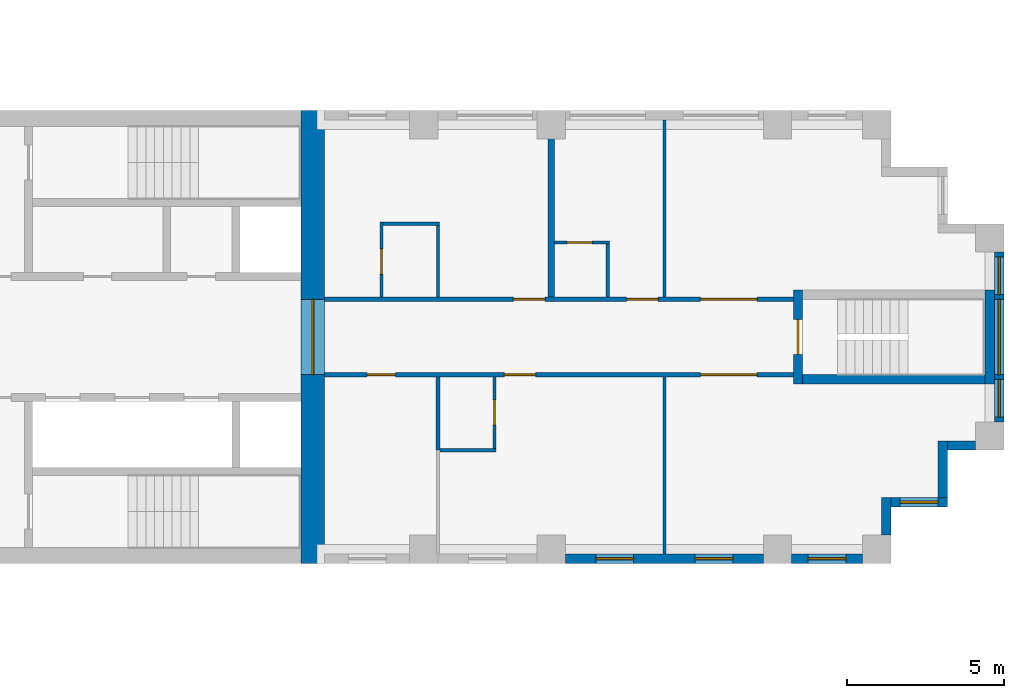
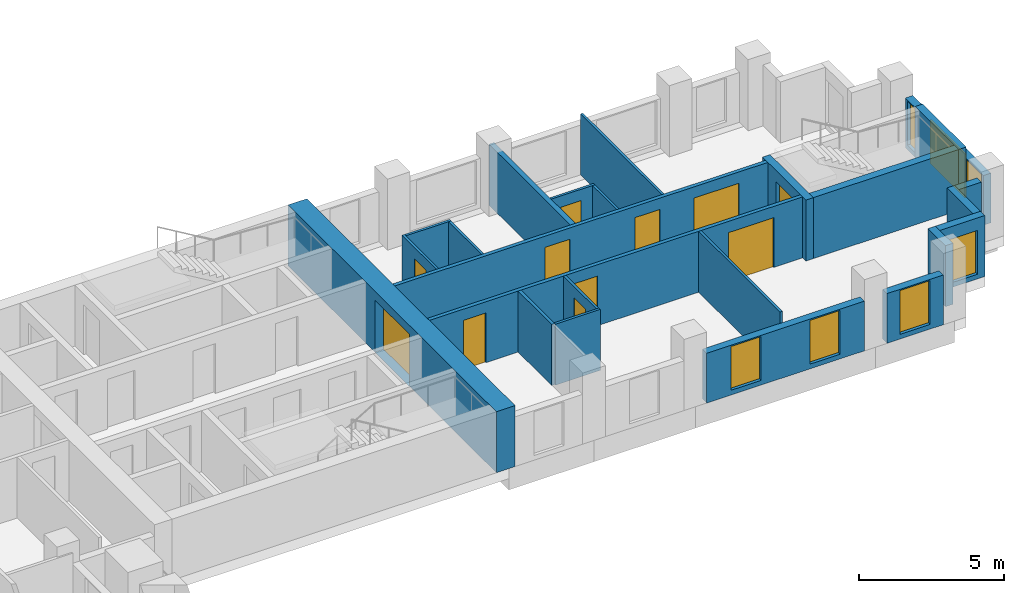
# One storey, part 10 of 15: 24 walls, 11 doors, 7 windows, 18 openings.
"""IFC4 building model written with IfcOpenShell, lengths in metres."""

from ifc_helpers import new_model, si_unit, direction, frame, frame_2d, origin, place, context, subcontext, project, spatial, rectangle, extrude, material, layer, layer_set, type_object, element, fill, save


model = new_model("IFC4")

# Units and contexts
model_context = context("Model", 3, precision=1e-05, world=origin(), true_north=direction((0.0, 1.0)))
body_context = subcontext(model_context, "Body", "Model", "MODEL_VIEW")
ifc_project = project(units=[si_unit("LENGTHUNIT", "METRE"), si_unit("AREAUNIT", "SQUARE_METRE"), si_unit("VOLUMEUNIT", "CUBIC_METRE"), si_unit("PLANEANGLEUNIT", "RADIAN"), si_unit("MASSUNIT", "GRAM", prefix="KILO")], contexts=[model_context])

# Site, building, storey
site_placement = place(None, origin())
site = spatial("IfcSite", under=ifc_project, at=site_placement, CompositionType="ELEMENT")
building_placement = place(site_placement, origin())
building = spatial("IfcBuilding", under=site, at=building_placement, Name="Fustian Cross Tower", CompositionType="ELEMENT")
storey_placement = place(building_placement, frame((0.0, 0.0, 29.699951171875)))
storey = spatial("IfcBuildingStorey", under=building, at=storey_placement, Name="L08", CompositionType="ELEMENT", Elevation=29.699951171875)

# Wall, openings, doors
ifc_material_1 = material(Name="Plasterboard on steel stud", Category="steel")
ifc_layer_1 = layer(ifc_material_1, 0.14990234375)
ifc_layer_set_1 = layer_set([ifc_layer_1], Name="Plasterboard on steel stud")
wall_type_1 = type_object("IfcWallType", Name="COMPARTMENT WALL 150 EI 60", PredefinedType="PARTITIONING", material=ifc_layer_set_1)
wall_1_placement = place(storey_placement, frame((21.60009765625, -1.199951171875, 0.0), z_axis=(0.0, 0.0, 1.0), x_axis=(1.0, 0.0, 0.0)))
wall_1 = element("IfcWall", 1, at=wall_1_placement, inside=storey, type_object=wall_type_1, Name="Partition 88", PredefinedType="PARTITIONING", context=body_context, shape_type="SweptSolid", body=[
    extrude(rectangle(XDim=14.89990234375, YDim=0.14990234375, at=frame_2d((7.449951171875, 0.0))), origin(), (0.0, 0.0, 1.0), 2.574951171875),
])
opening_1_placement = place(wall_1_placement, frame((1.35009765625, 0.0, 0.0)))
opening_1 = element("IfcOpeningElement", 2, at=opening_1_placement, cuts=wall_1, Name="Opening D06015", PredefinedType="OPENING", context=body_context, shape_type="SweptSolid", body=[
    extrude(rectangle(XDim=0.89990234375, YDim=2.10009765625, at=frame_2d((0.449951171875, 1.050048828125))), frame((0.0, 0.0849609375, 0.0), z_axis=(0.0, -1.0, 0.0), x_axis=(1.0, 0.0, 0.0)), (0.0, 0.0, 1.0), 0.169921875),
])
opening_2_placement = place(wall_1_placement, frame((5.7099609375, 0.0, 0.0)))
opening_2 = element("IfcOpeningElement", 3, at=opening_2_placement, cuts=wall_1, Name="Opening D06017", PredefinedType="OPENING", context=body_context, shape_type="SweptSolid", body=[
    extrude(rectangle(XDim=1.0, YDim=2.10009765625, at=frame_2d((0.5, 1.050048828125))), frame((0.0, 0.0849609375, 0.0), z_axis=(0.0, -1.0, 0.0), x_axis=(1.0, 0.0, 0.0)), (0.0, 0.0, 1.0), 0.169921875),
])
opening_3_placement = place(wall_1_placement, frame((11.949951171875, 0.0, 0.0)))
opening_3 = element("IfcOpeningElement", 4, at=opening_3_placement, cuts=wall_1, Name="Opening D06018", PredefinedType="OPENING", context=body_context, shape_type="SweptSolid", body=[
    extrude(rectangle(XDim=1.800048828125, YDim=2.10009765625, at=frame_2d((0.89990234375, 1.050048828125))), frame((0.0, 0.0849609375, 0.0), z_axis=(0.0, -1.0, 0.0), x_axis=(1.0, 0.0, 0.0)), (0.0, 0.0, 1.0), 0.169921875),
])
ifc_material_2 = material(Name="Timber fire door set", Category="wood")
door_type_1 = type_object("IfcDoorType", Name="FIRE DOUBLE DOOR 1800 FD30S", OperationType="DOUBLE_DOOR_DOUBLE_SWING", PredefinedType="DOOR", material=ifc_material_2)
door_1_placement = place(opening_3_placement, origin())
door_1 = element("IfcDoor", 5, at=door_1_placement, inside=storey, type_object=door_type_1, Name="Door D06018", OperationType="DOUBLE_DOOR_DOUBLE_SWING", OverallHeight=2.10009765625, OverallWidth=1.800048828125, PredefinedType="DOOR", context=body_context, shape_type="SweptSolid", body=[
    extrude(rectangle(XDim=1.800048828125, YDim=2.10009765625, at=frame_2d((0.89990234375, 1.050048828125))), frame((0.0, 0.02490234375, 0.0), z_axis=(0.0, -1.0, 0.0), x_axis=(1.0, 0.0, 0.0)), (0.0, 0.0, 1.0), 0.050048828125),
])
fill(opening_3, door_1)
ifc_material_3 = material(Name="Timber fire door set", Category="wood")
door_type_2 = type_object("IfcDoorType", Name="FIRE SWING DOOR 1000 FD30S", OperationType="SINGLE_SWING_LEFT", PredefinedType="DOOR", material=ifc_material_3)
door_2_placement = place(opening_2_placement, frame((1.0, 0.0, 0.0), z_axis=(0.0, 0.0, 1.0), x_axis=(-1.0, 0.0, 0.0)))
door_2 = element("IfcDoor", 6, at=door_2_placement, inside=storey, type_object=door_type_2, Name="Door D06017", OperationType="SINGLE_SWING_RIGHT", OverallHeight=2.10009765625, OverallWidth=1.0, PredefinedType="DOOR", context=body_context, shape_type="SweptSolid", body=[
    extrude(rectangle(XDim=1.0, YDim=2.10009765625, at=frame_2d((0.5, 1.050048828125))), frame((0.0, 0.02490234375, 0.0), z_axis=(0.0, -1.0, 0.0), x_axis=(1.0, 0.0, 0.0)), (0.0, 0.0, 1.0), 0.050048828125),
])
fill(opening_2, door_2)
ifc_material_4 = material(Name="Timber fire door set", Category="wood")
door_type_3 = type_object("IfcDoorType", Name="FIRE SWING DOOR 900 FD30S", OperationType="SINGLE_SWING_LEFT", PredefinedType="DOOR", material=ifc_material_4)
door_3_placement = place(opening_1_placement, frame((0.89990234375, 0.0, 0.0), z_axis=(0.0, 0.0, 1.0), x_axis=(-1.0, 0.0, 0.0)))
door_3 = element("IfcDoor", 7, at=door_3_placement, inside=storey, type_object=door_type_3, Name="Door D06015", OperationType="SINGLE_SWING_RIGHT", OverallHeight=2.10009765625, OverallWidth=0.89990234375, PredefinedType="DOOR", context=body_context, shape_type="SweptSolid", body=[
    extrude(rectangle(XDim=0.89990234375, YDim=2.10009765625, at=frame_2d((0.449951171875, 1.050048828125))), frame((0.0, 0.02490234375, 0.0), z_axis=(0.0, -1.0, 0.0), x_axis=(1.0, 0.0, 0.0)), (0.0, 0.0, 1.0), 0.050048828125),
])
fill(opening_1, door_3)

wall_2_placement = place(storey_placement, frame((21.60009765625, 1.199951171875, 0.0), z_axis=(0.0, 0.0, 1.0), x_axis=(1.0, 0.0, 0.0)))
wall_2 = element("IfcWall", 8, at=wall_2_placement, inside=storey, type_object=wall_type_1, Name="Partition 89", PredefinedType="PARTITIONING", context=body_context, shape_type="SweptSolid", body=[
    extrude(rectangle(XDim=14.89990234375, YDim=0.14990234375, at=frame_2d((7.449951171875, 0.0))), origin(), (0.0, 0.0, 1.0), 2.574951171875),
])
opening_4_placement = place(wall_2_placement, frame((6.0, 0.0, 0.0)))
opening_4 = element("IfcOpeningElement", 9, at=opening_4_placement, cuts=wall_2, Name="Opening D06011", PredefinedType="OPENING", context=body_context, shape_type="SweptSolid", body=[
    extrude(rectangle(XDim=1.0, YDim=2.10009765625, at=frame_2d((0.5, 1.050048828125))), frame((0.0, 0.0849609375, 0.0), z_axis=(0.0, -1.0, 0.0), x_axis=(1.0, 0.0, 0.0)), (0.0, 0.0, 1.0), 0.169921875),
])
opening_5_placement = place(wall_2_placement, frame((9.60009765625, 0.0, 0.0)))
opening_5 = element("IfcOpeningElement", 10, at=opening_5_placement, cuts=wall_2, Name="Opening D06013", PredefinedType="OPENING", context=body_context, shape_type="SweptSolid", body=[
    extrude(rectangle(XDim=1.0, YDim=2.10009765625, at=frame_2d((0.5, 1.050048828125))), frame((0.0, 0.0849609375, 0.0), z_axis=(0.0, -1.0, 0.0), x_axis=(1.0, 0.0, 0.0)), (0.0, 0.0, 1.0), 0.169921875),
])
opening_6_placement = place(wall_2_placement, frame((11.949951171875, 0.0, 0.0)))
opening_6 = element("IfcOpeningElement", 11, at=opening_6_placement, cuts=wall_2, Name="Opening D06014", PredefinedType="OPENING", context=body_context, shape_type="SweptSolid", body=[
    extrude(rectangle(XDim=1.800048828125, YDim=2.10009765625, at=frame_2d((0.89990234375, 1.050048828125))), frame((0.0, 0.0849609375, 0.0), z_axis=(0.0, -1.0, 0.0), x_axis=(1.0, 0.0, 0.0)), (0.0, 0.0, 1.0), 0.169921875),
])
door_4_placement = place(opening_6_placement, frame((1.800048828125, 0.0, 0.0), z_axis=(0.0, 0.0, 1.0), x_axis=(-1.0, 0.0, 0.0)))
door_4 = element("IfcDoor", 12, at=door_4_placement, inside=storey, type_object=door_type_1, Name="Door D06014", OperationType="DOUBLE_DOOR_DOUBLE_SWING", OverallHeight=2.10009765625, OverallWidth=1.800048828125, PredefinedType="DOOR", context=body_context, shape_type="SweptSolid", body=[
    extrude(rectangle(XDim=1.800048828125, YDim=2.10009765625, at=frame_2d((0.89990234375, 1.050048828125))), frame((0.0, 0.02490234375, 0.0), z_axis=(0.0, -1.0, 0.0), x_axis=(1.0, 0.0, 0.0)), (0.0, 0.0, 1.0), 0.050048828125),
])
fill(opening_6, door_4)
door_5_placement = place(opening_4_placement, origin())
door_5 = element("IfcDoor", 13, at=door_5_placement, inside=storey, type_object=door_type_2, Name="Door D06011", OperationType="SINGLE_SWING_RIGHT", OverallHeight=2.10009765625, OverallWidth=1.0, PredefinedType="DOOR", context=body_context, shape_type="SweptSolid", body=[
    extrude(rectangle(XDim=1.0, YDim=2.10009765625, at=frame_2d((0.5, 1.050048828125))), frame((0.0, 0.02490234375, 0.0), z_axis=(0.0, -1.0, 0.0), x_axis=(1.0, 0.0, 0.0)), (0.0, 0.0, 1.0), 0.050048828125),
])
fill(opening_4, door_5)
door_6_placement = place(opening_5_placement, origin())
door_6 = element("IfcDoor", 14, at=door_6_placement, inside=storey, type_object=door_type_2, Name="Door D06013", OperationType="SINGLE_SWING_RIGHT", OverallHeight=2.10009765625, OverallWidth=1.0, PredefinedType="DOOR", context=body_context, shape_type="SweptSolid", body=[
    extrude(rectangle(XDim=1.0, YDim=2.10009765625, at=frame_2d((0.5, 1.050048828125))), frame((0.0, 0.02490234375, 0.0), z_axis=(0.0, -1.0, 0.0), x_axis=(1.0, 0.0, 0.0)), (0.0, 0.0, 1.0), 0.050048828125),
])
fill(opening_5, door_6)

# Wall, opening, door
ifc_material_5 = material(Name="Concrete C80/95", Category="concrete")
ifc_layer_2 = layer(ifc_material_5, 0.75)
ifc_layer_set_2 = layer_set([ifc_layer_2], Name="Concrete C80/95")
wall_type_2 = type_object("IfcWallType", Name="CORE END WALL 750 C80/95", PredefinedType="SHEAR", material=ifc_layer_set_2)
wall_3_placement = place(storey_placement, frame((21.22509765625, -7.199951171875, 0.0), z_axis=(0.0, 0.0, 1.0), x_axis=(0.0, 1.0, 0.0)))
wall_3 = element("IfcWall", 15, at=wall_3_placement, inside=storey, type_object=wall_type_2, Name="Core end wall", PredefinedType="SHEAR", context=body_context, shape_type="SweptSolid", body=[
    extrude(rectangle(XDim=14.39990234375, YDim=0.75, at=frame_2d((7.199951171875, 0.0))), origin(), (0.0, 0.0, 1.0), 2.574951171875),
])
opening_7_placement = place(wall_3_placement, frame((6.0, 0.0, 0.0)))
opening_7 = element("IfcOpeningElement", 16, at=opening_7_placement, cuts=wall_3, Name="Opening CD-06-13", PredefinedType="OPENING", context=body_context, shape_type="SweptSolid", body=[
    extrude(rectangle(XDim=2.39990234375, YDim=2.199951171875, at=frame_2d((1.199951171875, 1.10009765625))), frame((0.0, 0.385009765625, 0.0), z_axis=(0.0, -1.0, 0.0), x_axis=(1.0, 0.0, 0.0)), (0.0, 0.0, 1.0), 0.77001953125),
])
ifc_material_6 = material(Name="Steel", Category="steel")
door_type_4 = type_object("IfcDoorType", Name="FIRE DOOR FD30S DOUBLE 2400X2200", OperationType="DOUBLE_DOOR_DOUBLE_SWING", PredefinedType="DOOR", material=ifc_material_6)
door_7_placement = place(opening_7_placement, origin())
door_7 = element("IfcDoor", 17, at=door_7_placement, inside=storey, type_object=door_type_4, Name="Core door CD-06-13", OperationType="DOUBLE_DOOR_DOUBLE_SWING", OverallHeight=2.199951171875, OverallWidth=2.39990234375, PredefinedType="DOOR", context=body_context, shape_type="SweptSolid", body=[
    extrude(rectangle(XDim=2.39990234375, YDim=2.199951171875, at=frame_2d((1.199951171875, 1.10009765625))), frame((0.0, 0.02490234375, 0.0), z_axis=(0.0, -1.0, 0.0), x_axis=(1.0, 0.0, 0.0)), (0.0, 0.0, 1.0), 0.050048828125),
])
fill(opening_7, door_7)

ifc_material_7 = material(Name="Plasterboard on steel stud", Category="steel")
ifc_layer_3 = layer(ifc_material_7, 0.10009765625)
ifc_layer_set_3 = layer_set([ifc_layer_3], Name="Plasterboard on steel stud")
wall_type_3 = type_object("IfcWallType", Name="PARTITION 100 STUD", PredefinedType="PARTITIONING", material=ifc_layer_set_3)
wall_4_placement = place(storey_placement, frame((23.39990234375, 1.27490234375, 0.0), z_axis=(0.0, 0.0, 1.0), x_axis=(0.0, 1.0, 0.0)))
wall_4 = element("IfcWall", 18, at=wall_4_placement, inside=storey, type_object=wall_type_3, Name="Partition 90", PredefinedType="PARTITIONING", context=body_context, shape_type="SweptSolid", body=[
    extrude(rectangle(XDim=2.375, YDim=0.10009765625, at=frame_2d((1.1875, 0.0))), origin(), (0.0, 0.0, 1.0), 2.574951171875),
])
opening_8_placement = place(wall_4_placement, frame((0.72509765625, 0.0, 0.0)))
opening_8 = element("IfcOpeningElement", 19, at=opening_8_placement, cuts=wall_4, Name="Opening D06010", PredefinedType="OPENING", context=body_context, shape_type="SweptSolid", body=[
    extrude(rectangle(XDim=0.800048828125, YDim=2.10009765625, at=frame_2d((0.39990234375, 1.050048828125))), frame((0.0, 0.06005859375, 0.0), z_axis=(0.0, -1.0, 0.0), x_axis=(1.0, 0.0, 0.0)), (0.0, 0.0, 1.0), 0.1201171875),
])
ifc_material_8 = material(Name="Painted timber", Category="wood")
door_type_5 = type_object("IfcDoorType", Name="SWING DOOR 800", OperationType="SINGLE_SWING_LEFT", PredefinedType="DOOR", material=ifc_material_8)
door_8_placement = place(opening_8_placement, frame((0.800048828125, 0.0, 0.0), z_axis=(0.0, 0.0, 1.0), x_axis=(-1.0, 0.0, 0.0)))
door_8 = element("IfcDoor", 20, at=door_8_placement, inside=storey, type_object=door_type_5, Name="Door D06010", OperationType="SINGLE_SWING_RIGHT", OverallHeight=2.10009765625, OverallWidth=0.800048828125, PredefinedType="DOOR", context=body_context, shape_type="SweptSolid", body=[
    extrude(rectangle(XDim=0.800048828125, YDim=2.10009765625, at=frame_2d((0.39990234375, 1.050048828125))), frame((0.0, 0.02490234375, 0.0), z_axis=(0.0, -1.0, 0.0), x_axis=(1.0, 0.0, 0.0)), (0.0, 0.0, 1.0), 0.050048828125),
])
fill(opening_8, door_8)

# Walls
wall_5_placement = place(storey_placement, frame((23.449951171875, 3.60009765625, 0.0), z_axis=(0.0, 0.0, 1.0), x_axis=(1.0, 0.0, 0.0)))
element("IfcWall", 21, at=wall_5_placement, inside=storey, type_object=wall_type_3, Name="Partition 91", PredefinedType="PARTITIONING", context=body_context, shape_type="SweptSolid", body=[
    extrude(rectangle(XDim=1.800048828125, YDim=0.10009765625, at=frame_2d((0.89990234375, 0.0))), origin(), (0.0, 0.0, 1.0), 2.574951171875),
])
wall_6_placement = place(storey_placement, frame((25.262451171875, -3.60009765625, 0.0), z_axis=(0.0, 0.0, 1.0), x_axis=(1.0, 0.0, 0.0)))
element("IfcWall", 22, at=wall_6_placement, inside=storey, type_object=wall_type_3, Name="Partition 94", PredefinedType="PARTITIONING", context=body_context, shape_type="SweptSolid", body=[
    extrude(rectangle(XDim=1.78759765625, YDim=0.10009765625, at=frame_2d((0.893798828125, 0.0))), origin(), (0.0, 0.0, 1.0), 2.574951171875),
])
wall_7_placement = place(storey_placement, frame((25.199951171875, 1.27490234375, 0.0), z_axis=(0.0, 0.0, 1.0), x_axis=(0.0, 1.0, 0.0)))
element("IfcWall", 23, at=wall_7_placement, inside=storey, type_object=wall_type_3, Name="Partition 95", PredefinedType="PARTITIONING", context=body_context, shape_type="SweptSolid", body=[
    extrude(rectangle(XDim=2.275146484375, YDim=0.10009765625, at=frame_2d((1.1376953125, 0.0))), origin(), (0.0, 0.0, 1.0), 2.574951171875),
])

# Wall, opening, door
wall_8_placement = place(storey_placement, frame((27.0, -3.550048828125, 0.0), z_axis=(0.0, 0.0, 1.0), x_axis=(0.0, 1.0, 0.0)))
wall_8 = element("IfcWall", 24, at=wall_8_placement, inside=storey, type_object=wall_type_3, Name="Partition 96", PredefinedType="PARTITIONING", context=body_context, shape_type="SweptSolid", body=[
    extrude(rectangle(XDim=2.275146484375, YDim=0.10009765625, at=frame_2d((1.1376953125, 0.0))), origin(), (0.0, 0.0, 1.0), 2.574951171875),
])
opening_9_placement = place(wall_8_placement, frame((0.75, 0.0, 0.0)))
opening_9 = element("IfcOpeningElement", 25, at=opening_9_placement, cuts=wall_8, Name="Opening D06016", PredefinedType="OPENING", context=body_context, shape_type="SweptSolid", body=[
    extrude(rectangle(XDim=0.800048828125, YDim=2.10009765625, at=frame_2d((0.39990234375, 1.050048828125))), frame((0.0, 0.06005859375, 0.0), z_axis=(0.0, -1.0, 0.0), x_axis=(1.0, 0.0, 0.0)), (0.0, 0.0, 1.0), 0.1201171875),
])
door_9_placement = place(opening_9_placement, origin())
door_9 = element("IfcDoor", 26, at=door_9_placement, inside=storey, type_object=door_type_5, Name="Door D06016", OperationType="SINGLE_SWING_LEFT", OverallHeight=2.10009765625, OverallWidth=0.800048828125, PredefinedType="DOOR", context=body_context, shape_type="SweptSolid", body=[
    extrude(rectangle(XDim=0.800048828125, YDim=2.10009765625, at=frame_2d((0.39990234375, 1.050048828125))), frame((0.0, 0.02490234375, 0.0), z_axis=(0.0, -1.0, 0.0), x_axis=(1.0, 0.0, 0.0)), (0.0, 0.0, 1.0), 0.050048828125),
])
fill(opening_9, door_9)

wall_9_placement = place(storey_placement, frame((28.89990234375, 3.0, 0.0), z_axis=(0.0, 0.0, 1.0), x_axis=(1.0, 0.0, 0.0)))
wall_9 = element("IfcWall", 27, at=wall_9_placement, inside=storey, type_object=wall_type_3, Name="Partition 98", PredefinedType="PARTITIONING", context=body_context, shape_type="SweptSolid", body=[
    extrude(rectangle(XDim=1.75, YDim=0.10009765625, at=frame_2d((0.875, 0.0))), origin(), (0.0, 0.0, 1.0), 2.574951171875),
])
opening_10_placement = place(wall_9_placement, frame((0.39990234375, 0.0, 0.0)))
opening_10 = element("IfcOpeningElement", 28, at=opening_10_placement, cuts=wall_9, Name="Opening D06012", PredefinedType="OPENING", context=body_context, shape_type="SweptSolid", body=[
    extrude(rectangle(XDim=0.800048828125, YDim=2.10009765625, at=frame_2d((0.39990234375, 1.050048828125))), frame((0.0, 0.06005859375, 0.0), z_axis=(0.0, -1.0, 0.0), x_axis=(1.0, 0.0, 0.0)), (0.0, 0.0, 1.0), 0.1201171875),
])
door_10_placement = place(opening_10_placement, frame((0.800048828125, 0.0, 0.0), z_axis=(0.0, 0.0, 1.0), x_axis=(-1.0, 0.0, 0.0)))
door_10 = element("IfcDoor", 29, at=door_10_placement, inside=storey, type_object=door_type_5, Name="Door D06012", OperationType="SINGLE_SWING_LEFT", OverallHeight=2.10009765625, OverallWidth=0.800048828125, PredefinedType="DOOR", context=body_context, shape_type="SweptSolid", body=[
    extrude(rectangle(XDim=0.800048828125, YDim=2.10009765625, at=frame_2d((0.39990234375, 1.050048828125))), frame((0.0, 0.02490234375, 0.0), z_axis=(0.0, -1.0, 0.0), x_axis=(1.0, 0.0, 0.0)), (0.0, 0.0, 1.0), 0.050048828125),
])
fill(opening_10, door_10)

# Walls
wall_10_placement = place(storey_placement, frame((30.60009765625, 1.27490234375, 0.0), z_axis=(0.0, 0.0, 1.0), x_axis=(0.0, 1.0, 0.0)))
element("IfcWall", 30, at=wall_10_placement, inside=storey, type_object=wall_type_3, Name="Partition 99", PredefinedType="PARTITIONING", context=body_context, shape_type="SweptSolid", body=[
    extrude(rectangle(XDim=1.675048828125, YDim=0.10009765625, at=frame_2d((0.83740234375, 0.0))), origin(), (0.0, 0.0, 1.0), 2.574951171875),
])
for number, where, z_axis, x_axis, name in (
    (31, (32.39990234375, -6.89990234375, 0.0), (0.0, 0.0, 1.0), (0.0, 1.0, 0.0), "Partition 100"),
    (32, (32.39990234375, 1.27490234375, 0.0), (0.0, 0.0, 1.0), (0.0, 1.0, 0.0), "Partition 101"),
):
    element("IfcWall", number, at=place(storey_placement, frame(where, z_axis=z_axis, x_axis=x_axis)), inside=storey, type_object=wall_type_3, Name=name, PredefinedType="PARTITIONING", context=body_context, shape_type="SweptSolid", body=[
        extrude(rectangle(XDim=5.625, YDim=0.10009765625, at=frame_2d((2.8125, 0.0))), origin(), (0.0, 0.0, 1.0), 2.574951171875),
    ])
ifc_material_9 = material(Name="Plasterboard on steel stud", Category="steel")
ifc_layer_4 = layer(ifc_material_9, 0.199951171875)
ifc_layer_set_4 = layer_set([ifc_layer_4], Name="Plasterboard on steel stud")
wall_type_4 = type_object("IfcWallType", Name="PARTY WALL 200 EI 60", PredefinedType="PARTITIONING", material=ifc_layer_set_4)
wall_11_placement = place(storey_placement, frame((28.800048828125, 1.27490234375, 0.0), z_axis=(0.0, 0.0, 1.0), x_axis=(0.0, 1.0, 0.0)))
element("IfcWall", 33, at=wall_11_placement, inside=storey, type_object=wall_type_4, Name="Partition 97", PredefinedType="PARTITIONING", context=body_context, shape_type="SweptSolid", body=[
    extrude(rectangle(XDim=5.625, YDim=0.199951171875, at=frame_2d((2.8125, 0.0))), origin(), (0.0, 0.0, 1.0), 2.574951171875),
])

# Wall, opening, door
ifc_material_10 = material(Name="Concrete C50/60", Category="concrete")
ifc_layer_5 = layer(ifc_material_10, 0.300048828125)
ifc_layer_set_5 = layer_set([ifc_layer_5], Name="Concrete C50/60")
wall_type_5 = type_object("IfcWallType", Name="STAIR ENCLOSURE WALL 300 C50/60", PredefinedType="SHEAR", material=ifc_layer_set_5)
wall_12_placement = place(storey_placement, frame((36.64990234375, -1.5, 0.0), z_axis=(0.0, 0.0, 1.0), x_axis=(0.0, 1.0, 0.0)))
wall_12 = element("IfcWall", 34, at=wall_12_placement, inside=storey, type_object=wall_type_5, Name="Stair enclosure wall", PredefinedType="SHEAR", context=body_context, shape_type="SweptSolid", body=[
    extrude(rectangle(XDim=3.0, YDim=0.300048828125, at=frame_2d((1.5, 0.0))), origin(), (0.0, 0.0, 1.0), 2.574951171875),
])
opening_11_placement = place(wall_12_placement, frame((0.949951171875, 0.0, 0.0)))
opening_11 = element("IfcOpeningElement", 35, at=opening_11_placement, cuts=wall_12, Name="Opening CD-06-33", PredefinedType="OPENING", context=body_context, shape_type="SweptSolid", body=[
    extrude(rectangle(XDim=1.10009765625, YDim=2.10009765625, at=frame_2d((0.550048828125, 1.050048828125))), frame((0.0, 0.159912109375, 0.0), z_axis=(0.0, -1.0, 0.0), x_axis=(1.0, 0.0, 0.0)), (0.0, 0.0, 1.0), 0.320068359375),
])
ifc_material_11 = material(Name="Steel", Category="steel")
door_type_6 = type_object("IfcDoorType", Name="FIRE DOOR FD60S 1100X2100", OperationType="SINGLE_SWING_LEFT", PredefinedType="DOOR", material=ifc_material_11)
door_11_placement = place(opening_11_placement, frame((1.10009765625, 0.0, 0.0), z_axis=(0.0, 0.0, 1.0), x_axis=(-1.0, 0.0, 0.0)))
door_11 = element("IfcDoor", 36, at=door_11_placement, inside=storey, type_object=door_type_6, Name="Core door CD-06-33", OperationType="SINGLE_SWING_RIGHT", OverallHeight=2.10009765625, OverallWidth=1.10009765625, PredefinedType="DOOR", context=body_context, shape_type="SweptSolid", body=[
    extrude(rectangle(XDim=1.10009765625, YDim=2.10009765625, at=frame_2d((0.550048828125, 1.050048828125))), frame((0.0, 0.02490234375, 0.0), z_axis=(0.0, -1.0, 0.0), x_axis=(1.0, 0.0, 0.0)), (0.0, 0.0, 1.0), 0.050048828125),
])
fill(opening_11, door_11)

# Walls
wall_13_placement = place(storey_placement, frame((42.75, -1.5, 0.0), z_axis=(0.0, 0.0, 1.0), x_axis=(0.0, 1.0, 0.0)))
element("IfcWall", 37, at=wall_13_placement, inside=storey, type_object=wall_type_5, Name="Stair enclosure wall", PredefinedType="SHEAR", context=body_context, shape_type="SweptSolid", body=[
    extrude(rectangle(XDim=3.0, YDim=0.300048828125, at=frame_2d((1.5, 0.0))), origin(), (0.0, 0.0, 1.0), 2.574951171875),
])
wall_14_placement = place(storey_placement, frame((36.800048828125, -1.35009765625, 0.0), z_axis=(0.0, 0.0, 1.0), x_axis=(1.0, 0.0, 0.0)))
element("IfcWall", 38, at=wall_14_placement, inside=storey, type_object=wall_type_5, Name="Stair enclosure wall", PredefinedType="SHEAR", context=body_context, shape_type="SweptSolid", body=[
    extrude(rectangle(XDim=5.800048828125, YDim=0.300048828125, at=frame_2d((2.89990234375, 0.0))), origin(), (0.0, 0.0, 1.0), 2.574951171875),
])
ifc_material_12 = material(Name="Plasterboard on steel stud", Category="steel")
ifc_layer_6 = layer(ifc_material_12, 0.125)
ifc_layer_set_6 = layer_set([ifc_layer_6], Name="Plasterboard on steel stud")
wall_type_6 = type_object("IfcWallType", Name="WET WALL 125 STUD", PredefinedType="PARTITIONING", material=ifc_layer_set_6)
wall_15_placement = place(storey_placement, frame((25.199951171875, -3.60009765625, 0.0), z_axis=(0.0, 0.0, 1.0), x_axis=(0.0, 1.0, 0.0)))
element("IfcWall", 39, at=wall_15_placement, inside=storey, type_object=wall_type_6, Name="Partition 93", PredefinedType="PARTITIONING", context=body_context, shape_type="SweptSolid", body=[
    extrude(rectangle(XDim=2.3251953125, YDim=0.125, at=frame_2d((1.16259765625, 0.0))), origin(), (0.0, 0.0, 1.0), 2.574951171875),
])

# Wall, openings, windows
ifc_material_13 = material(Name="Dark aluminium cladding on insulated backing wall", Category="aluminium")
ifc_layer_7 = layer(ifc_material_13, 0.300048828125)
ifc_layer_set_7 = layer_set([ifc_layer_7], Name="Dark aluminium cladding on insulated backing wall")
wall_type_7 = type_object("IfcWallType", Name="XW1 EXTERNAL WALL 300", PredefinedType="SOLIDWALL", material=ifc_layer_set_7)
wall_16_placement = place(storey_placement, frame((29.25, -7.050048828125, 0.0), z_axis=(0.0, 0.0, 1.0), x_axis=(1.0, 0.0, 0.0)))
wall_16 = element("IfcWall", 40, at=wall_16_placement, inside=storey, type_object=wall_type_7, Name="External wall", PredefinedType="SOLIDWALL", context=body_context, shape_type="SweptSolid", body=[
    extrude(rectangle(XDim=6.300048828125, YDim=0.300048828125, at=frame_2d((3.14990234375, 0.0))), origin(), (0.0, 0.0, 1.0), 2.10009765625),
])
opening_12_placement = place(wall_16_placement, frame((0.97509765625, 0.0, 0.199951171875)))
opening_12 = element("IfcOpeningElement", 41, at=opening_12_placement, cuts=wall_16, Name="Opening WN3", PredefinedType="OPENING", context=body_context, shape_type="SweptSolid", body=[
    extrude(rectangle(XDim=1.199951171875, YDim=1.85009765625, at=frame_2d((0.60009765625, 0.925048828125))), frame((0.0, 0.159912109375, 0.0), z_axis=(0.0, -1.0, 0.0), x_axis=(1.0, 0.0, 0.0)), (0.0, 0.0, 1.0), 0.320068359375),
])
opening_13_placement = place(wall_16_placement, frame((4.125, 0.0, 0.199951171875)))
opening_13 = element("IfcOpeningElement", 42, at=opening_13_placement, cuts=wall_16, Name="Opening WN3", PredefinedType="OPENING", context=body_context, shape_type="SweptSolid", body=[
    extrude(rectangle(XDim=1.199951171875, YDim=1.85009765625, at=frame_2d((0.60009765625, 0.925048828125))), frame((0.0, 0.159912109375, 0.0), z_axis=(0.0, -1.0, 0.0), x_axis=(1.0, 0.0, 0.0)), (0.0, 0.0, 1.0), 0.320068359375),
])
ifc_material_14 = material(Name="Dark anodised aluminium and double glazing", Category="aluminium")
window_type_1 = type_object("IfcWindowType", Name="WN3 WINDOW 1200X1850", PartitioningType="SINGLE_PANEL", PredefinedType="WINDOW", material=ifc_material_14)
window_1_placement = place(opening_12_placement, origin())
window_1 = element("IfcWindow", 43, at=window_1_placement, inside=storey, type_object=window_type_1, Name="Window", OverallHeight=1.85009765625, OverallWidth=1.199951171875, PartitioningType="SINGLE_PANEL", PredefinedType="WINDOW", context=body_context, shape_type="SweptSolid", body=[
    extrude(rectangle(XDim=1.199951171875, YDim=1.85009765625, at=frame_2d((0.60009765625, 0.925048828125))), frame((0.0, 0.030029296875, 0.0), z_axis=(0.0, -1.0, 0.0), x_axis=(1.0, 0.0, 0.0)), (0.0, 0.0, 1.0), 0.06005859375),
])
fill(opening_12, window_1)
window_2_placement = place(opening_13_placement, origin())
window_2 = element("IfcWindow", 44, at=window_2_placement, inside=storey, type_object=window_type_1, Name="Window", OverallHeight=1.85009765625, OverallWidth=1.199951171875, PartitioningType="SINGLE_PANEL", PredefinedType="WINDOW", context=body_context, shape_type="SweptSolid", body=[
    extrude(rectangle(XDim=1.199951171875, YDim=1.85009765625, at=frame_2d((0.60009765625, 0.925048828125))), frame((0.0, 0.030029296875, 0.0), z_axis=(0.0, -1.0, 0.0), x_axis=(1.0, 0.0, 0.0)), (0.0, 0.0, 1.0), 0.06005859375),
])
fill(opening_13, window_2)

# Wall, opening, window
wall_17_placement = place(storey_placement, frame((36.449951171875, -7.050048828125, 0.0), z_axis=(0.0, 0.0, 1.0), x_axis=(1.0, 0.0, 0.0)))
wall_17 = element("IfcWall", 45, at=wall_17_placement, inside=storey, type_object=wall_type_7, Name="External wall", PredefinedType="SOLIDWALL", context=body_context, shape_type="SweptSolid", body=[
    extrude(rectangle(XDim=2.25, YDim=0.300048828125, at=frame_2d((1.125, 0.0))), origin(), (0.0, 0.0, 1.0), 2.10009765625),
])
opening_14_placement = place(wall_17_placement, frame((0.52490234375, 0.0, 0.199951171875)))
opening_14 = element("IfcOpeningElement", 46, at=opening_14_placement, cuts=wall_17, Name="Opening WN3", PredefinedType="OPENING", context=body_context, shape_type="SweptSolid", body=[
    extrude(rectangle(XDim=1.199951171875, YDim=1.85009765625, at=frame_2d((0.60009765625, 0.925048828125))), frame((0.0, 0.159912109375, 0.0), z_axis=(0.0, -1.0, 0.0), x_axis=(1.0, 0.0, 0.0)), (0.0, 0.0, 1.0), 0.320068359375),
])
window_3_placement = place(opening_14_placement, origin())
window_3 = element("IfcWindow", 47, at=window_3_placement, inside=storey, type_object=window_type_1, Name="Window", OverallHeight=1.85009765625, OverallWidth=1.199951171875, PartitioningType="SINGLE_PANEL", PredefinedType="WINDOW", context=body_context, shape_type="SweptSolid", body=[
    extrude(rectangle(XDim=1.199951171875, YDim=1.85009765625, at=frame_2d((0.60009765625, 0.925048828125))), frame((0.0, 0.030029296875, 0.0), z_axis=(0.0, -1.0, 0.0), x_axis=(1.0, 0.0, 0.0)), (0.0, 0.0, 1.0), 0.06005859375),
])
fill(opening_14, window_3)

# Wall
wall_18_placement = place(storey_placement, frame((39.449951171875, -6.300048828125, 0.0), z_axis=(0.0, 0.0, 1.0), x_axis=(0.0, 1.0, 0.0)))
element("IfcWall", 48, at=wall_18_placement, inside=storey, type_object=wall_type_7, Name="External wall", PredefinedType="SOLIDWALL", context=body_context, shape_type="SweptSolid", body=[
    extrude(rectangle(XDim=1.199951171875, YDim=0.300048828125, at=frame_2d((0.60009765625, 0.0))), origin(), (0.0, 0.0, 1.0), 2.574951171875),
])

# Wall, opening, window
wall_19_placement = place(storey_placement, frame((39.60009765625, -5.25, 0.0), z_axis=(0.0, 0.0, 1.0), x_axis=(1.0, 0.0, 0.0)))
wall_19 = element("IfcWall", 49, at=wall_19_placement, inside=storey, type_object=wall_type_7, Name="External wall", PredefinedType="SOLIDWALL", context=body_context, shape_type="SweptSolid", body=[
    extrude(rectangle(XDim=1.7998046875, YDim=0.300048828125, at=frame_2d((0.89990234375, 0.0))), origin(), (0.0, 0.0, 1.0), 2.574951171875),
])
opening_15_placement = place(wall_19_placement, frame((0.300048828125, 0.0, 0.199951171875)))
opening_15 = element("IfcOpeningElement", 50, at=opening_15_placement, cuts=wall_19, Name="Opening WN3", PredefinedType="OPENING", context=body_context, shape_type="SweptSolid", body=[
    extrude(rectangle(XDim=1.199951171875, YDim=1.85009765625, at=frame_2d((0.60009765625, 0.925048828125))), frame((0.0, 0.159912109375, 0.0), z_axis=(0.0, -1.0, 0.0), x_axis=(1.0, 0.0, 0.0)), (0.0, 0.0, 1.0), 0.320068359375),
])
window_4_placement = place(opening_15_placement, origin())
window_4 = element("IfcWindow", 51, at=window_4_placement, inside=storey, type_object=window_type_1, Name="Window", OverallHeight=1.85009765625, OverallWidth=1.199951171875, PartitioningType="SINGLE_PANEL", PredefinedType="WINDOW", context=body_context, shape_type="SweptSolid", body=[
    extrude(rectangle(XDim=1.199951171875, YDim=1.85009765625, at=frame_2d((0.60009765625, 0.925048828125))), frame((0.0, 0.030029296875, 0.0), z_axis=(0.0, -1.0, 0.0), x_axis=(1.0, 0.0, 0.0)), (0.0, 0.0, 1.0), 0.06005859375),
])
fill(opening_15, window_4)

# Walls
wall_20_placement = place(storey_placement, frame((41.25, -5.10009765625, 0.0), z_axis=(0.0, 0.0, 1.0), x_axis=(0.0, 1.0, 0.0)))
element("IfcWall", 52, at=wall_20_placement, inside=storey, type_object=wall_type_7, Name="External wall", PredefinedType="SOLIDWALL", context=body_context, shape_type="SweptSolid", body=[
    extrude(rectangle(XDim=1.800048828125, YDim=0.300048828125, at=frame_2d((0.89990234375, 0.0))), origin(), (0.0, 0.0, 1.0), 2.574951171875),
])
wall_21_placement = place(storey_placement, frame((41.39990234375, -3.449951171875, 0.0), z_axis=(0.0, 0.0, 1.0), x_axis=(1.0, 0.0, 0.0)))
element("IfcWall", 53, at=wall_21_placement, inside=storey, type_object=wall_type_7, Name="External wall", PredefinedType="SOLIDWALL", context=body_context, shape_type="SweptSolid", body=[
    extrude(rectangle(XDim=0.900146484375, YDim=0.300048828125, at=frame_2d((0.4501953125, 0.0))), origin(), (0.0, 0.0, 1.0), 2.574951171875),
])

# Wall, openings, windows
wall_22_placement = place(storey_placement, frame((43.050048828125, -2.699951171875, 0.0), z_axis=(0.0, 0.0, 1.0), x_axis=(0.0, 1.0, 0.0)))
wall_22 = element("IfcWall", 54, at=wall_22_placement, inside=storey, type_object=wall_type_7, Name="External wall", PredefinedType="SOLIDWALL", context=body_context, shape_type="SweptSolid", body=[
    extrude(rectangle(XDim=5.39990234375, YDim=0.300048828125, at=frame_2d((2.699951171875, 0.0))), origin(), (0.0, 0.0, 1.0), 2.10009765625),
])
opening_16_placement = place(wall_22_placement, frame((1.5, 0.0, 0.199951171875)))
opening_16 = element("IfcOpeningElement", 55, at=opening_16_placement, cuts=wall_22, Name="Opening WN1", PredefinedType="OPENING", context=body_context, shape_type="SweptSolid", body=[
    extrude(rectangle(XDim=2.39990234375, YDim=1.85009765625, at=frame_2d((1.199951171875, 0.925048828125))), frame((0.0, 0.159912109375, 0.0), z_axis=(0.0, -1.0, 0.0), x_axis=(1.0, 0.0, 0.0)), (0.0, 0.0, 1.0), 0.320068359375),
])
opening_17_placement = place(wall_22_placement, frame((0.14990234375, 0.0, 0.199951171875)))
opening_17 = element("IfcOpeningElement", 56, at=opening_17_placement, cuts=wall_22, Name="Opening WN3", PredefinedType="OPENING", context=body_context, shape_type="SweptSolid", body=[
    extrude(rectangle(XDim=1.199951171875, YDim=1.85009765625, at=frame_2d((0.60009765625, 0.925048828125))), frame((0.0, 0.159912109375, 0.0), z_axis=(0.0, -1.0, 0.0), x_axis=(1.0, 0.0, 0.0)), (0.0, 0.0, 1.0), 0.320068359375),
])
opening_18_placement = place(wall_22_placement, frame((4.050048828125, 0.0, 0.199951171875)))
opening_18 = element("IfcOpeningElement", 57, at=opening_18_placement, cuts=wall_22, Name="Opening WN3", PredefinedType="OPENING", context=body_context, shape_type="SweptSolid", body=[
    extrude(rectangle(XDim=1.199951171875, YDim=1.85009765625, at=frame_2d((0.60009765625, 0.925048828125))), frame((0.0, 0.159912109375, 0.0), z_axis=(0.0, -1.0, 0.0), x_axis=(1.0, 0.0, 0.0)), (0.0, 0.0, 1.0), 0.320068359375),
])
ifc_material_15 = material(Name="Dark anodised aluminium and double glazing", Category="aluminium")
window_type_2 = type_object("IfcWindowType", Name="WN1 WINDOW 2400X1850", PartitioningType="SINGLE_PANEL", PredefinedType="WINDOW", material=ifc_material_15)
window_5_placement = place(opening_16_placement, origin())
window_5 = element("IfcWindow", 58, at=window_5_placement, inside=storey, type_object=window_type_2, Name="Window", OverallHeight=1.85009765625, OverallWidth=2.39990234375, PartitioningType="SINGLE_PANEL", PredefinedType="WINDOW", context=body_context, shape_type="SweptSolid", body=[
    extrude(rectangle(XDim=2.39990234375, YDim=1.85009765625, at=frame_2d((1.199951171875, 0.925048828125))), frame((0.0, 0.030029296875, 0.0), z_axis=(0.0, -1.0, 0.0), x_axis=(1.0, 0.0, 0.0)), (0.0, 0.0, 1.0), 0.06005859375),
])
fill(opening_16, window_5)
window_6_placement = place(opening_17_placement, origin())
window_6 = element("IfcWindow", 59, at=window_6_placement, inside=storey, type_object=window_type_1, Name="Window", OverallHeight=1.85009765625, OverallWidth=1.199951171875, PartitioningType="SINGLE_PANEL", PredefinedType="WINDOW", context=body_context, shape_type="SweptSolid", body=[
    extrude(rectangle(XDim=1.199951171875, YDim=1.85009765625, at=frame_2d((0.60009765625, 0.925048828125))), frame((0.0, 0.030029296875, 0.0), z_axis=(0.0, -1.0, 0.0), x_axis=(1.0, 0.0, 0.0)), (0.0, 0.0, 1.0), 0.06005859375),
])
fill(opening_17, window_6)
window_7_placement = place(opening_18_placement, origin())
window_7 = element("IfcWindow", 60, at=window_7_placement, inside=storey, type_object=window_type_1, Name="Window", OverallHeight=1.85009765625, OverallWidth=1.199951171875, PartitioningType="SINGLE_PANEL", PredefinedType="WINDOW", context=body_context, shape_type="SweptSolid", body=[
    extrude(rectangle(XDim=1.199951171875, YDim=1.85009765625, at=frame_2d((0.60009765625, 0.925048828125))), frame((0.0, 0.030029296875, 0.0), z_axis=(0.0, -1.0, 0.0), x_axis=(1.0, 0.0, 0.0)), (0.0, 0.0, 1.0), 0.06005859375),
])
fill(opening_18, window_7)

save(model, "model.ifc")
